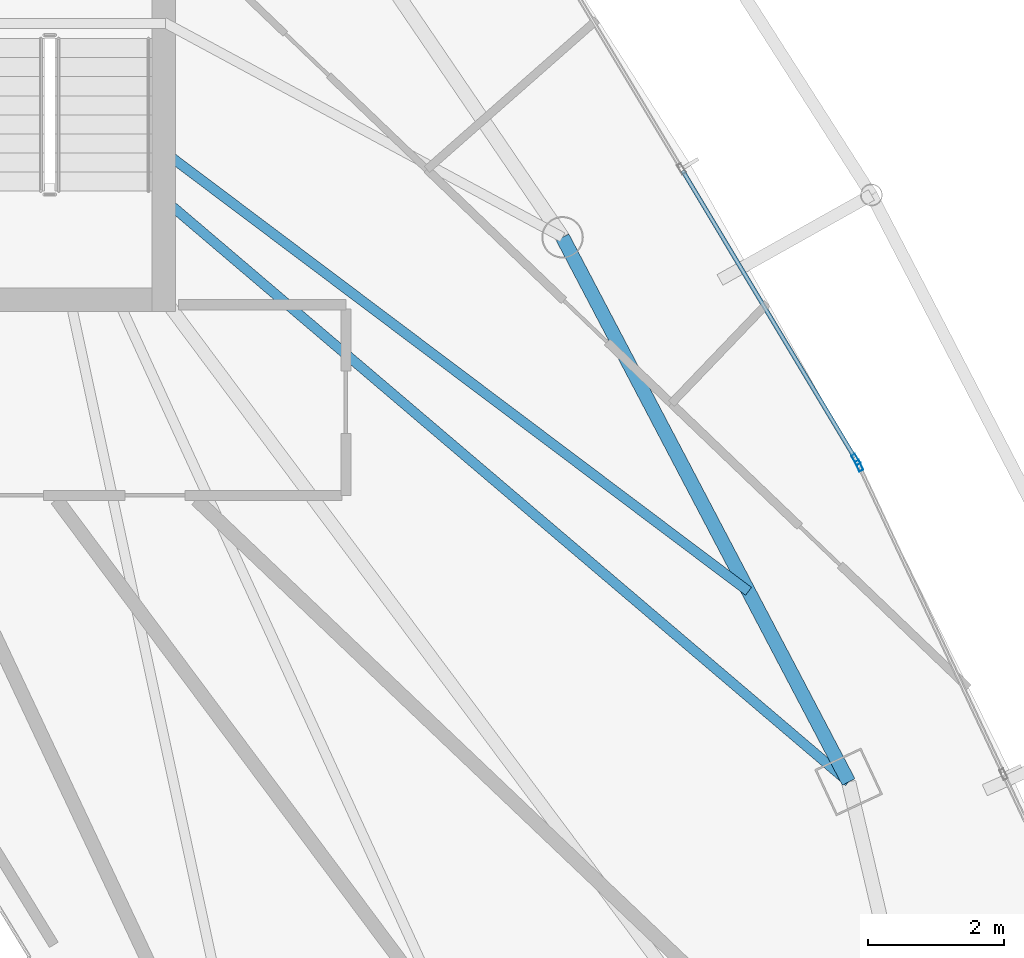
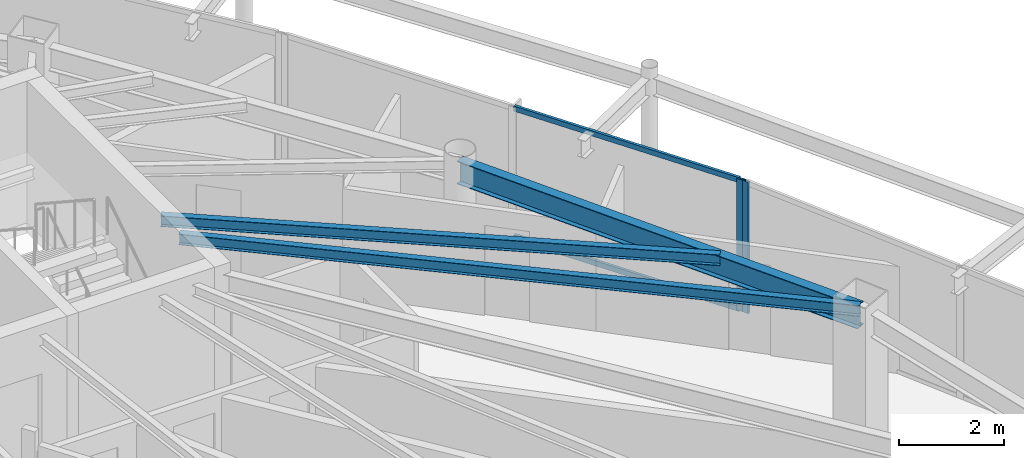
# One storey, part 18 of 32: 4 members, 3 beams, 2 elements without a shape of their own.
"""IFC4 building model written with IfcOpenShell, lengths in metres."""

from ifc_helpers import new_model, si_unit, direction, frame, origin, origin_2d, place, context, subcontext, project, spatial, hollow_rectangle, i_section, extrude, material, layer, layer_set, material_profile, profile_set, type_object, element, aggregate, save


model = new_model("IFC4")

# Units and contexts
model_context = context("Model", 3, precision=1e-05, world=origin(), true_north=direction((0.0, 1.0)))
body_context = subcontext(model_context, "Body", "Model", "MODEL_VIEW")
ifc_project = project(units=[si_unit("LENGTHUNIT", "METRE"), si_unit("AREAUNIT", "SQUARE_METRE"), si_unit("VOLUMEUNIT", "CUBIC_METRE"), si_unit("PLANEANGLEUNIT", "RADIAN"), si_unit("MASSUNIT", "GRAM", prefix="KILO")], contexts=[model_context])

# Site, building, storey
site_placement = place(None, origin())
site = spatial("IfcSite", under=ifc_project, at=site_placement, CompositionType="ELEMENT")
building_placement = place(site_placement, origin())
building = spatial("IfcBuilding", under=site, at=building_placement, Name="Orvanel Arch Residences", CompositionType="ELEMENT")
storey_placement = place(building_placement, frame((0.0, 0.0, 216.199951171875)))
storey = spatial("IfcBuildingStorey", under=building, at=storey_placement, Name="L61", CompositionType="ELEMENT", Elevation=216.199951171875)

# Beams
ifc_material_1 = material(Name="Structural steel AS/NZS 3679.1 Grade 300 (300 MPa)", Category="steel")
ifc_material_profile_1 = material_profile(ifc_material_1, i_section(OverallWidth=0.14599609375, OverallDepth=0.251953125, WebThickness=0.006103515625, FlangeThickness=0.008544921875, at=origin_2d()), Name="250UB31.4")
ifc_profile_set_1 = profile_set([ifc_material_profile_1], Name="Structural steel AS/NZS 3679.1 Grade 300 (300 MPa)")
beam_type_1 = type_object("IfcBeamType", Name="BJ-250UB", PredefinedType="JOIST", material=ifc_profile_set_1)
beam_1_placement = place(storey_placement, frame((39.574951171875, 28.199951171875, 2.93408203125), z_axis=(0.761622669031, -0.64802076357, 0.0), x_axis=(0.64802076357, 0.761622669031, 0.0)))
element("IfcBeam", 1, at=beam_1_placement, inside=storey, type_object=beam_type_1, Name="L61 E Wing Floor Joist", PredefinedType="JOIST", context=body_context, shape_type="SweptSolid", body=[
    extrude(i_section(OverallWidth=0.14599609375, OverallDepth=0.251953125, WebThickness=0.006103515625, FlangeThickness=0.008544921875, at=origin_2d()), origin(), (0.0, 0.0, 1.0), 13.2060546875),
])
beam_2_placement = place(storey_placement, frame((39.574951171875, 28.89990234375, 2.93408203125), z_axis=(0.799211300837, -0.60105016148, 0.0), x_axis=(0.60105016148, 0.799211300837, 0.0)))
element("IfcBeam", 2, at=beam_2_placement, inside=storey, type_object=beam_type_1, Name="L61 CTE Wing Floor Joist", PredefinedType="JOIST", context=body_context, shape_type="SweptSolid", body=[
    extrude(i_section(OverallWidth=0.14599609375, OverallDepth=0.251953125, WebThickness=0.006103515625, FlangeThickness=0.008544921875, at=origin_2d()), origin(), (0.0, 0.0, 1.0), 10.74462890625),
])

# Curtain wall, member
ifc_material_2 = material(Name="Bronze-anodised aluminium AA6063-T6", Category="aluminium")
ifc_layer = layer(ifc_material_2, 0.175048828125)
ifc_layer_set = layer_set([ifc_layer], Name="Bronze-anodised aluminium AA6063-T6")
curtain_wall_type = type_object("IfcCurtainWallType", Name="CW4-HI-SYS", PredefinedType="NOTDEFINED", material=ifc_layer_set)
curtain_wall_1_placement = place(storey_placement, origin())
curtain_wall_1 = element("IfcCurtainWall", 3, at=curtain_wall_1_placement, inside=storey, type_object=curtain_wall_type, Name="L61 CW4-HI-SYS Unitised Curtain Wall", PredefinedType="NOTDEFINED")
ifc_material_profile_2 = material_profile(ifc_material_2, hollow_rectangle(XDim=0.06494140625, YDim=0.159912109375, WallThickness=0.00390625, at=origin_2d()), Name="ALU160x65x4")
ifc_profile_set_2 = profile_set([ifc_material_profile_2], Name="Bronze-anodised aluminium AA6063-T6")
member_type_1 = type_object("IfcMemberType", Name="MUL-160x65", PredefinedType="MULLION", material=ifc_profile_set_2)
member_1_placement = place(storey_placement, frame((49.786865234375, 24.28662109375, 0.0), z_axis=(0.0, 0.0, 1.0), x_axis=(-0.905611523567, -0.424108203626, 0.0)))
member_1 = element("IfcMember", 4, at=member_1_placement, type_object=member_type_1, Name="CW-S4 mullion 3", PredefinedType="MULLION", context=body_context, shape_type="SweptSolid", body=[
    extrude(hollow_rectangle(XDim=0.06494140625, YDim=0.159912109375, WallThickness=0.00390625, at=origin_2d()), origin(), (0.0, 0.0, 1.0), 3.06005859375),
])
aggregate(curtain_wall_1, [member_1])

curtain_wall_2_placement = place(storey_placement, origin())
curtain_wall_2 = element("IfcCurtainWall", 5, at=curtain_wall_2_placement, inside=storey, type_object=curtain_wall_type, Name="L61 CW4-HI-SYS Unitised Curtain Wall", PredefinedType="NOTDEFINED")
member_2_placement = place(storey_placement, frame((49.73828125, 24.37890625, 0.0), z_axis=(0.0, 0.0, 1.0), x_axis=(-0.857536965081, -0.514422349359, 0.0)))
member_2 = element("IfcMember", 6, at=member_2_placement, type_object=member_type_1, Name="CW-S4 mullion 1", PredefinedType="MULLION", context=body_context, shape_type="SweptSolid", body=[
    extrude(hollow_rectangle(XDim=0.06494140625, YDim=0.159912109375, WallThickness=0.00390625, at=origin_2d()), origin(), (0.0, 0.0, 1.0), 3.06005859375),
])

# Beam
ifc_material_profile_3 = material_profile(ifc_material_1, i_section(OverallWidth=0.208984375, OverallDepth=0.532958984375, WebThickness=0.01025390625, FlangeThickness=0.015625, at=origin_2d()), Name="530UB92.4")
ifc_profile_set_3 = profile_set([ifc_material_profile_3], Name="Structural steel AS/NZS 3679.1 Grade 300 (300 MPa)")
beam_type_2 = type_object("IfcBeamType", Name="SP-530UB", PredefinedType="SPANDREL", material=ifc_profile_set_3)
beam_3_placement = place(storey_placement, frame((49.633056640625, 19.64208984375, 2.79296875), z_axis=(-0.465064762793, 0.885276660942, 0.0), x_axis=(-0.885276660942, -0.465064762793, 0.0)))
element("IfcBeam", 7, at=beam_3_placement, inside=storey, type_object=beam_type_2, Name="L61 Perimeter Spandrel Beam 07", PredefinedType="SPANDREL", context=body_context, shape_type="SweptSolid", body=[
    extrude(i_section(OverallWidth=0.208984375, OverallDepth=0.532958984375, WebThickness=0.01025390625, FlangeThickness=0.015625, at=origin_2d()), origin(), (0.0, 0.0, 1.0), 9.03564453125),
])

# Member
ifc_material_profile_4 = material_profile(ifc_material_2, hollow_rectangle(XDim=0.06005859375, YDim=0.1201171875, WallThickness=0.00341796875, at=origin_2d()), Name="ALU120x60x3.5")
ifc_profile_set_4 = profile_set([ifc_material_profile_4], Name="Bronze-anodised aluminium AA6063-T6")
member_type_2 = type_object("IfcMemberType", Name="TRN-120x60", PredefinedType="USERDEFINED", material=ifc_profile_set_4)
member_3_placement = place(storey_placement, frame((49.7216796875, 24.40673828125, 0.030029296875), z_axis=(-0.514422647267, 0.85753678637, 0.0), x_axis=(-0.85753678637, -0.514422647267, 0.0)))
member_3 = element("IfcMember", 8, at=member_3_placement, type_object=member_type_2, Name="CW-S4 transom 1.1", ObjectType="TRANSOM", PredefinedType="USERDEFINED", context=body_context, shape_type="SweptSolid", body=[
    extrude(hollow_rectangle(XDim=0.06005859375, YDim=0.1201171875, WallThickness=0.00341796875, at=origin_2d()), origin(), (0.0, 0.0, 1.0), 4.9111328125),
])

member_4_placement = place(storey_placement, frame((49.7216796875, 24.40673828125, 3.030029296875), z_axis=(-0.514422647267, 0.85753678637, 0.0), x_axis=(-0.85753678637, -0.514422647267, 0.0)))
member_4 = element("IfcMember", 9, at=member_4_placement, type_object=member_type_2, Name="CW-S4 transom 1.2", ObjectType="TRANSOM", PredefinedType="USERDEFINED", context=body_context, shape_type="SweptSolid", body=[
    extrude(hollow_rectangle(XDim=0.06005859375, YDim=0.1201171875, WallThickness=0.00341796875, at=origin_2d()), origin(), (0.0, 0.0, 1.0), 4.9111328125),
])

aggregate(curtain_wall_2, [member_2, member_3, member_4])

save(model, "model.ifc")
